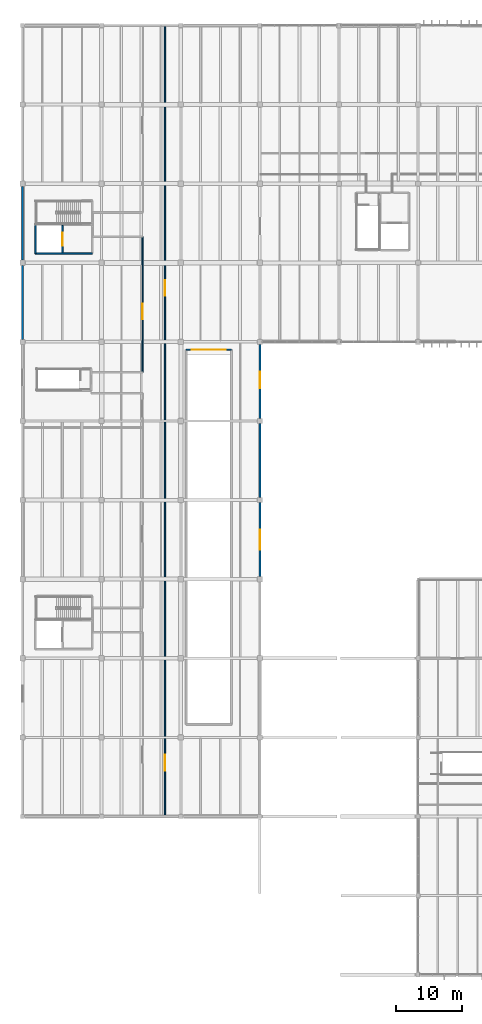
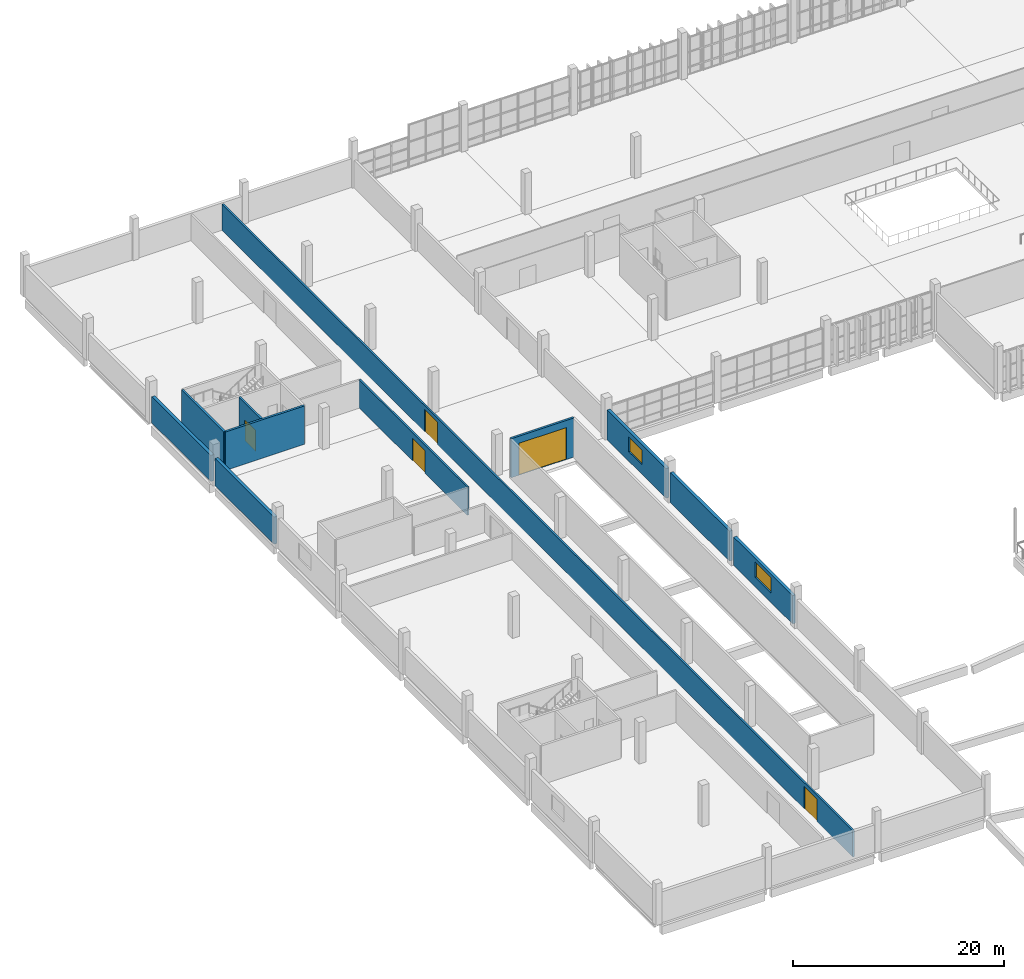
# One storey, part 81 of 112: 11 walls, 5 doors, 2 windows, 7 openings.
"""IFC4 building model written with IfcOpenShell, lengths in metres."""

from ifc_helpers import new_model, si_unit, direction, frame, frame_2d, origin, place, context, subcontext, project, spatial, rectangle, extrude, material, layer, layer_set, type_object, element, fill, save


model = new_model("IFC4")

# Units and contexts
model_context = context("Model", 3, precision=1e-05, world=origin(), true_north=direction((0.0, 1.0)))
body_context = subcontext(model_context, "Body", "Model", "MODEL_VIEW")
ifc_project = project(units=[si_unit("LENGTHUNIT", "METRE"), si_unit("AREAUNIT", "SQUARE_METRE"), si_unit("VOLUMEUNIT", "CUBIC_METRE"), si_unit("PLANEANGLEUNIT", "RADIAN"), si_unit("MASSUNIT", "GRAM", prefix="KILO")], contexts=[model_context])

# Site, building, storey
site_placement = place(None, origin())
site = spatial("IfcSite", under=ifc_project, at=site_placement, CompositionType="ELEMENT")
building_placement = place(site_placement, origin())
building = spatial("IfcBuilding", under=site, at=building_placement, Name="Kamomehara Wholesale Market", CompositionType="ELEMENT")
storey_placement = place(building_placement, frame((0.0, 0.0, 6.60009765625)))
storey = spatial("IfcBuildingStorey", under=building, at=storey_placement, Name="L01", CompositionType="ELEMENT", Elevation=6.60009765625)

# Walls
ifc_material_1 = material(Name="Polyurethane insulated metal panel")
ifc_layer_1 = layer(ifc_material_1, 0.340087890625)
ifc_layer_set_1 = layer_set([ifc_layer_1], Name="Polyurethane insulated metal panel")
wall_type_1 = type_object("IfcWallType", Name="EW-CLD-340", PredefinedType="SOLIDWALL", material=ifc_layer_set_1)
wall_1_placement = place(storey_placement, frame((0.0, 108.389892578125, 0.0), z_axis=(0.0, 0.0, 1.0), x_axis=(0.0, 1.0, 0.0)))
element("IfcWall", 1, at=wall_1_placement, inside=storey, type_object=wall_type_1, Name="Exterior wall EW-CLD-340 27", PredefinedType="SOLIDWALL", context=body_context, shape_type="SweptSolid", body=[
    extrude(rectangle(XDim=11.22021484375, YDim=0.340087890625, at=frame_2d((5.610107421875, 0.0))), origin(), (0.0, 0.0, 1.0), 3.14794921875),
])
wall_2_placement = place(storey_placement, frame((0.0, 120.389892578125, 0.0), z_axis=(0.0, 0.0, 1.0), x_axis=(0.0, 1.0, 0.0)))
element("IfcWall", 2, at=wall_2_placement, inside=storey, type_object=wall_type_1, Name="Exterior wall EW-CLD-340 28", PredefinedType="SOLIDWALL", context=body_context, shape_type="SweptSolid", body=[
    extrude(rectangle(XDim=11.22021484375, YDim=0.340087890625, at=frame_2d((5.610107421875, 0.0))), origin(), (0.0, 0.0, 1.0), 3.02783203125),
])

# Wall, opening, window
wall_3_placement = place(storey_placement, frame((36.0, 83.610107421875, 0.0), z_axis=(0.0, 0.0, 1.0), x_axis=(0.0, -1.0, 0.0)))
wall_3 = element("IfcWall", 3, at=wall_3_placement, inside=storey, type_object=wall_type_1, Name="Exterior wall EW-CLD-340 40", PredefinedType="SOLIDWALL", context=body_context, shape_type="SweptSolid", body=[
    extrude(rectangle(XDim=11.22021484375, YDim=0.340087890625, at=frame_2d((5.610107421875, 0.0))), origin(), (0.0, 0.0, 1.0), 3.27783203125),
])
opening_1_placement = place(wall_3_placement, frame((4.110107421875, 0.0, 1.10009765625)))
opening_1 = element("IfcOpeningElement", 4, at=opening_1_placement, cuts=wall_3, Name="Opening WN-L01-003", PredefinedType="OPENING", context=body_context, shape_type="SweptSolid", body=[
    extrude(rectangle(XDim=3.0, YDim=1.800048828125, at=frame_2d((1.5, 0.89990234375))), frame((0.0, 0.18505859375, 0.0), z_axis=(0.0, -1.0, 0.0), x_axis=(1.0, 0.0, 0.0)), (0.0, 0.0, 1.0), 0.369873046875),
])
ifc_material_2 = material(Name="Solar-control Low-E double glazing", Category="glass")
window_type_1 = type_object("IfcWindowType", Name="WIN-3000x1800", PartitioningType="SINGLE_PANEL", PredefinedType="WINDOW", material=ifc_material_2)
window_1_placement = place(opening_1_placement, origin())
window_1 = element("IfcWindow", 5, at=window_1_placement, inside=storey, type_object=window_type_1, Name="Exterior window WN-L01-003", OverallHeight=1.800048828125, OverallWidth=3.0, PartitioningType="SINGLE_PANEL", PredefinedType="WINDOW", context=body_context, shape_type="SweptSolid", body=[
    extrude(rectangle(XDim=3.0, YDim=1.800048828125, at=frame_2d((1.5, 0.89990234375))), frame((0.0, 0.030029296875, 0.0), z_axis=(0.0, -1.0, 0.0), x_axis=(1.0, 0.0, 0.0)), (0.0, 0.0, 1.0), 0.06005859375),
])
fill(opening_1, window_1)

# Wall
wall_4_placement = place(storey_placement, frame((36.0, 95.610107421875, 0.0), z_axis=(0.0, 0.0, 1.0), x_axis=(0.0, -1.0, 0.0)))
element("IfcWall", 6, at=wall_4_placement, inside=storey, type_object=wall_type_1, Name="Exterior wall EW-CLD-340 41", PredefinedType="SOLIDWALL", context=body_context, shape_type="SweptSolid", body=[
    extrude(rectangle(XDim=11.22021484375, YDim=0.340087890625, at=frame_2d((5.610107421875, 0.0))), origin(), (0.0, 0.0, 1.0), 3.468017578125),
])

# Wall, opening, window
wall_5_placement = place(storey_placement, frame((36.0, 107.610107421875, 0.0), z_axis=(0.0, 0.0, 1.0), x_axis=(0.0, -1.0, 0.0)))
wall_5 = element("IfcWall", 7, at=wall_5_placement, inside=storey, type_object=wall_type_1, Name="Exterior wall EW-CLD-340 42", PredefinedType="SOLIDWALL", context=body_context, shape_type="SweptSolid", body=[
    extrude(rectangle(XDim=11.22021484375, YDim=0.340087890625, at=frame_2d((5.610107421875, 0.0))), origin(), (0.0, 0.0, 1.0), 3.43798828125),
])
opening_2_placement = place(wall_5_placement, frame((4.110107421875, 0.0, 1.10009765625)))
opening_2 = element("IfcOpeningElement", 8, at=opening_2_placement, cuts=wall_5, Name="Opening WN-L01-004", PredefinedType="OPENING", context=body_context, shape_type="SweptSolid", body=[
    extrude(rectangle(XDim=2.5, YDim=1.699951171875, at=frame_2d((1.25, 0.85009765625))), frame((0.0, 0.18505859375, 0.0), z_axis=(0.0, -1.0, 0.0), x_axis=(1.0, 0.0, 0.0)), (0.0, 0.0, 1.0), 0.369873046875),
])
ifc_material_3 = material(Name="Solar-control Low-E double glazing", Category="glass")
window_type_2 = type_object("IfcWindowType", Name="WIN-2500x1700", PartitioningType="SINGLE_PANEL", PredefinedType="WINDOW", material=ifc_material_3)
window_2_placement = place(opening_2_placement, origin())
window_2 = element("IfcWindow", 9, at=window_2_placement, inside=storey, type_object=window_type_2, Name="Exterior window WN-L01-004", OverallHeight=1.699951171875, OverallWidth=2.5, PartitioningType="SINGLE_PANEL", PredefinedType="WINDOW", context=body_context, shape_type="SweptSolid", body=[
    extrude(rectangle(XDim=2.5, YDim=1.699951171875, at=frame_2d((1.25, 0.85009765625))), frame((0.0, 0.030029296875, 0.0), z_axis=(0.0, -1.0, 0.0), x_axis=(1.0, 0.0, 0.0)), (0.0, 0.0, 1.0), 0.06005859375),
])
fill(opening_2, window_2)

# Wall, opening, door
ifc_material_4 = material(Name="Gypsum board partition")
ifc_layer_2 = layer(ifc_material_4, 0.199951171875)
ifc_layer_set_2 = layer_set([ifc_layer_2], Name="Gypsum board partition")
wall_type_2 = type_object("IfcWallType", Name="IW-PRT-200", PredefinedType="PARTITIONING", material=ifc_layer_set_2)
wall_6_placement = place(storey_placement, frame((18.199951171875, 103.39990234375, 0.0), z_axis=(0.0, 0.0, 1.0), x_axis=(0.0, 1.0, 0.0)))
wall_6 = element("IfcWall", 10, at=wall_6_placement, inside=storey, type_object=wall_type_2, Name="Interior wall IW-PRT-200 306", PredefinedType="PARTITIONING", context=body_context, shape_type="SweptSolid", body=[
    extrude(rectangle(XDim=20.550048828125, YDim=0.199951171875, at=frame_2d((10.27490234375, 0.0))), origin(), (0.0, 0.0, 1.0), 3.2529296875),
])
opening_3_placement = place(wall_6_placement, frame((8.0, 0.0, 0.0)))
opening_3 = element("IfcOpeningElement", 11, at=opening_3_placement, cuts=wall_6, Name="Opening ID-L01-191", PredefinedType="OPENING", context=body_context, shape_type="SweptSolid", body=[
    extrude(rectangle(XDim=2.39990234375, YDim=2.60009765625, at=frame_2d((1.199951171875, 1.300048828125))), frame((0.0, 0.11474609375, 0.0), z_axis=(0.0, -1.0, 0.0), x_axis=(1.0, 0.0, 0.0)), (0.0, 0.0, 1.0), 0.229736328125),
])
ifc_material_5 = material(Name="Steel SN400B", Category="steel")
door_type_1 = type_object("IfcDoorType", Name="IDR-CL-2400x2600", OperationType="NOTDEFINED", PredefinedType="DOOR", material=ifc_material_5)
door_1_placement = place(opening_3_placement, origin())
door_1 = element("IfcDoor", 12, at=door_1_placement, inside=storey, type_object=door_type_1, Name="Interior door ID-L01-191", OperationType="SINGLE_SWING_LEFT", OverallHeight=2.60009765625, OverallWidth=2.39990234375, PredefinedType="DOOR", context=body_context, shape_type="SweptSolid", body=[
    extrude(rectangle(XDim=2.39990234375, YDim=2.60009765625, at=frame_2d((1.199951171875, 1.300048828125))), frame((0.0, 0.02490234375, 0.0), z_axis=(0.0, -1.0, 0.0), x_axis=(1.0, 0.0, 0.0)), (0.0, 0.0, 1.0), 0.050048828125),
])
fill(opening_3, door_1)

# Wall, openings, doors
wall_7_placement = place(storey_placement, frame((21.60009765625, 36.169921875, 0.0), z_axis=(0.0, 0.0, 1.0), x_axis=(0.0, 1.0, 0.0)))
wall_7 = element("IfcWall", 13, at=wall_7_placement, inside=storey, type_object=wall_type_2, Name="Interior wall IW-PRT-200 311", PredefinedType="PARTITIONING", context=body_context, shape_type="SweptSolid", body=[
    extrude(rectangle(XDim=119.66015625, YDim=0.199951171875, at=frame_2d((59.830078125, 0.0))), origin(), (0.0, 0.0, 1.0), 3.032958984375),
])
opening_4_placement = place(wall_7_placement, frame((6.800048828125, 0.0, 0.0)))
opening_4 = element("IfcOpeningElement", 14, at=opening_4_placement, cuts=wall_7, Name="Opening ID-L01-193", PredefinedType="OPENING", context=body_context, shape_type="SweptSolid", body=[
    extrude(rectangle(XDim=2.39990234375, YDim=2.60009765625, at=frame_2d((1.199951171875, 1.300048828125))), frame((0.0, 0.11474609375, 0.0), z_axis=(0.0, -1.0, 0.0), x_axis=(1.0, 0.0, 0.0)), (0.0, 0.0, 1.0), 0.229736328125),
])
opening_5_placement = place(wall_7_placement, frame((78.800048828125, 0.0, 0.0)))
opening_5 = element("IfcOpeningElement", 15, at=opening_5_placement, cuts=wall_7, Name="Opening ID-L01-194", PredefinedType="OPENING", context=body_context, shape_type="SweptSolid", body=[
    extrude(rectangle(XDim=2.39990234375, YDim=2.60009765625, at=frame_2d((1.199951171875, 1.300048828125))), frame((0.0, 0.11474609375, 0.0), z_axis=(0.0, -1.0, 0.0), x_axis=(1.0, 0.0, 0.0)), (0.0, 0.0, 1.0), 0.229736328125),
])
door_2_placement = place(opening_4_placement, origin())
door_2 = element("IfcDoor", 16, at=door_2_placement, inside=storey, type_object=door_type_1, Name="Interior door ID-L01-193", OperationType="SINGLE_SWING_LEFT", OverallHeight=2.60009765625, OverallWidth=2.39990234375, PredefinedType="DOOR", context=body_context, shape_type="SweptSolid", body=[
    extrude(rectangle(XDim=2.39990234375, YDim=2.60009765625, at=frame_2d((1.199951171875, 1.300048828125))), frame((0.0, 0.02490234375, 0.0), z_axis=(0.0, -1.0, 0.0), x_axis=(1.0, 0.0, 0.0)), (0.0, 0.0, 1.0), 0.050048828125),
])
fill(opening_4, door_2)
door_3_placement = place(opening_5_placement, origin())
door_3 = element("IfcDoor", 17, at=door_3_placement, inside=storey, type_object=door_type_1, Name="Interior door ID-L01-194", OperationType="SINGLE_SWING_RIGHT", OverallHeight=2.60009765625, OverallWidth=2.39990234375, PredefinedType="DOOR", context=body_context, shape_type="SweptSolid", body=[
    extrude(rectangle(XDim=2.39990234375, YDim=2.60009765625, at=frame_2d((1.199951171875, 1.300048828125))), frame((0.0, 0.02490234375, 0.0), z_axis=(0.0, -1.0, 0.0), x_axis=(1.0, 0.0, 0.0)), (0.0, 0.0, 1.0), 0.050048828125),
])
fill(opening_5, door_3)

# Wall, opening, door
ifc_material_6 = material(Name="Concrete Fc36 (C35/45)", Category="concrete")
ifc_layer_3 = layer(ifc_material_6, 0.219970703125)
ifc_layer_set_3 = layer_set([ifc_layer_3], Name="Concrete Fc36 (C35/45)")
wall_type_3 = type_object("IfcWallType", Name="IW-SHR-220", PredefinedType="SHEAR", material=ifc_layer_set_3)
wall_8_placement = place(storey_placement, frame((6.0400390625, 121.52001953125, 0.0), z_axis=(0.0, 0.0, 1.0), x_axis=(0.0, 1.0, 0.0)))
wall_8 = element("IfcWall", 18, at=wall_8_placement, inside=storey, type_object=wall_type_3, Name="Interior wall IW-SHR-220 54", PredefinedType="SHEAR", context=body_context, shape_type="SweptSolid", body=[
    extrude(rectangle(XDim=4.139892578125, YDim=0.219970703125, at=frame_2d((2.06982421875, 0.0))), origin(), (0.0, 0.0, 1.0), 4.449951171875),
])
opening_6_placement = place(wall_8_placement, frame((1.070068359375, 0.0, 0.0)))
opening_6 = element("IfcOpeningElement", 19, at=opening_6_placement, cuts=wall_8, Name="Opening LD-LF-03-L01", PredefinedType="OPENING", context=body_context, shape_type="SweptSolid", body=[
    extrude(rectangle(XDim=2.0, YDim=2.39990234375, at=frame_2d((1.0, 1.199951171875))), frame((0.0, 0.125, 0.0), z_axis=(0.0, -1.0, 0.0), x_axis=(1.0, 0.0, 0.0)), (0.0, 0.0, 1.0), 0.249755859375),
])
ifc_material_7 = material(Name="Steel SN400B", Category="steel")
door_type_2 = type_object("IfcDoorType", Name="LDR-GDS-2000x2400", OperationType="DOUBLE_DOOR_SLIDING", PredefinedType="DOOR", material=ifc_material_7)
door_4_placement = place(opening_6_placement, origin())
door_4 = element("IfcDoor", 20, at=door_4_placement, inside=storey, type_object=door_type_2, Name="Lift sliding landing door LD-LF-03-L01", OperationType="DOUBLE_DOOR_SLIDING", OverallHeight=2.39990234375, OverallWidth=2.0, PredefinedType="DOOR", context=body_context, shape_type="SweptSolid", body=[
    extrude(rectangle(XDim=2.0, YDim=2.39990234375, at=frame_2d((1.0, 1.199951171875))), frame((0.0, 0.02490234375, 0.0), z_axis=(0.0, -1.0, 0.0), x_axis=(1.0, 0.0, 0.0)), (0.0, 0.0, 1.0), 0.050048828125),
])
fill(opening_6, door_4)

# Walls
ifc_material_8 = material(Name="Concrete Fc36 (C35/45)", Category="concrete")
ifc_layer_4 = layer(ifc_material_8, 0.239990234375)
ifc_layer_set_4 = layer_set([ifc_layer_4], Name="Concrete Fc36 (C35/45)")
wall_type_4 = type_object("IfcWallType", Name="IW-SHR-240", PredefinedType="SHEAR", material=ifc_layer_set_4)
wall_9_placement = place(storey_placement, frame((1.929931640625, 129.419921875, 0.0), z_axis=(0.0, 0.0, 1.0), x_axis=(0.0, -1.0, 0.0)))
element("IfcWall", 21, at=wall_9_placement, inside=storey, type_object=wall_type_4, Name="Interior wall IW-SHR-240 50", PredefinedType="SHEAR", context=body_context, shape_type="SweptSolid", body=[
    extrude(rectangle(XDim=8.02001953125, YDim=0.239990234375, at=frame_2d((4.010009765625, 0.0))), origin(), (0.0, 0.0, 1.0), 4.449951171875),
])
wall_10_placement = place(storey_placement, frame((1.929931640625, 121.39990234375, 0.0), z_axis=(0.0, 0.0, 1.0), x_axis=(1.0, 0.0, 0.0)))
element("IfcWall", 22, at=wall_10_placement, inside=storey, type_object=wall_type_4, Name="Interior wall IW-SHR-240 51", PredefinedType="SHEAR", context=body_context, shape_type="SweptSolid", body=[
    extrude(rectangle(XDim=8.670166015625, YDim=0.239990234375, at=frame_2d((4.3349609375, 0.0))), origin(), (0.0, 0.0, 1.0), 4.449951171875),
])

# Wall, opening, door
wall_11_placement = place(storey_placement, frame((24.800048828125, 106.800048828125, 0.0), z_axis=(0.0, 0.0, 1.0), x_axis=(1.0, 0.0, 0.0)))
wall_11 = element("IfcWall", 23, at=wall_11_placement, inside=storey, type_object=wall_type_4, Name="Interior wall IW-SHR-240 192", PredefinedType="SHEAR", context=body_context, shape_type="SweptSolid", body=[
    extrude(rectangle(XDim=6.89990234375, YDim=0.239990234375, at=frame_2d((3.449951171875, 0.0))), origin(), (0.0, 0.0, 1.0), 4.52001953125),
])
opening_7_placement = place(wall_11_placement, frame((0.85009765625, 0.0, 0.0)))
opening_7 = element("IfcOpeningElement", 24, at=opening_7_placement, cuts=wall_11, Name="Opening VG-L01-01", PredefinedType="OPENING", context=body_context, shape_type="SweptSolid", body=[
    extrude(rectangle(XDim=5.199951171875, YDim=3.699951171875, at=frame_2d((2.60009765625, 1.85009765625))), frame((0.0, 0.134765625, 0.0), z_axis=(0.0, -1.0, 0.0), x_axis=(1.0, 0.0, 0.0)), (0.0, 0.0, 1.0), 0.269775390625),
])
ifc_material_9 = material(Name="Steel SN400B", Category="steel")
door_type_3 = type_object("IfcDoorType", Name="EDR-VG-5200x3800", OperationType="ROLLINGUP", PredefinedType="GATE", material=ifc_material_9)
door_5_placement = place(opening_7_placement, origin())
door_5 = element("IfcDoor", 25, at=door_5_placement, inside=storey, type_object=door_type_3, Name="Upper cold-dock ramp roller shutter VG-L01-01", OperationType="ROLLINGUP", OverallHeight=3.699951171875, OverallWidth=5.199951171875, PredefinedType="GATE", context=body_context, shape_type="SweptSolid", body=[
    extrude(rectangle(XDim=5.199951171875, YDim=3.699951171875, at=frame_2d((2.60009765625, 1.85009765625))), frame((0.0, 0.02490234375, 0.0), z_axis=(0.0, -1.0, 0.0), x_axis=(1.0, 0.0, 0.0)), (0.0, 0.0, 1.0), 0.050048828125),
])
fill(opening_7, door_5)

save(model, "model.ifc")
